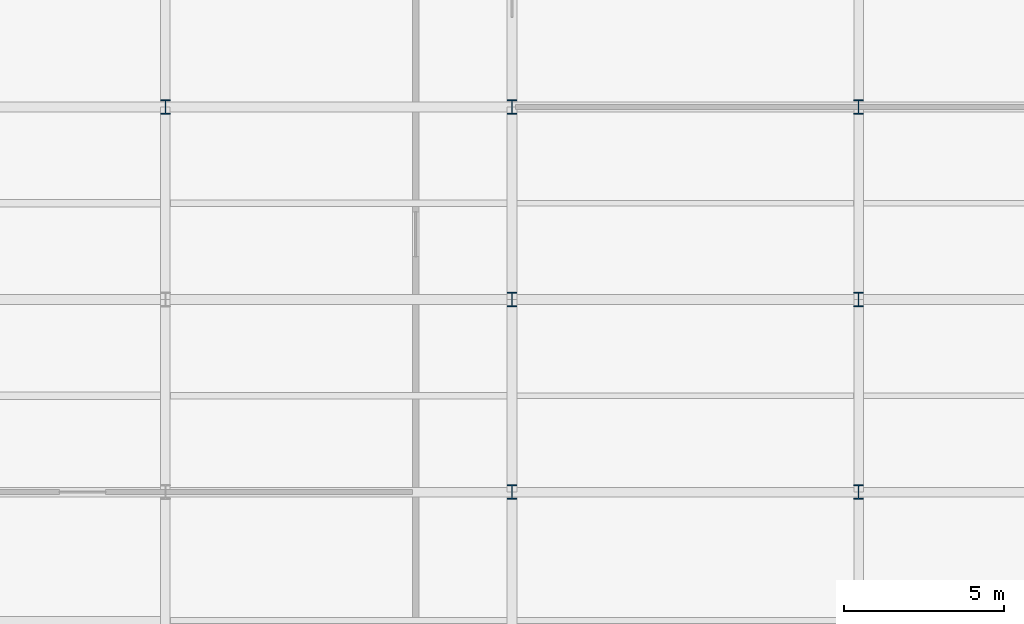
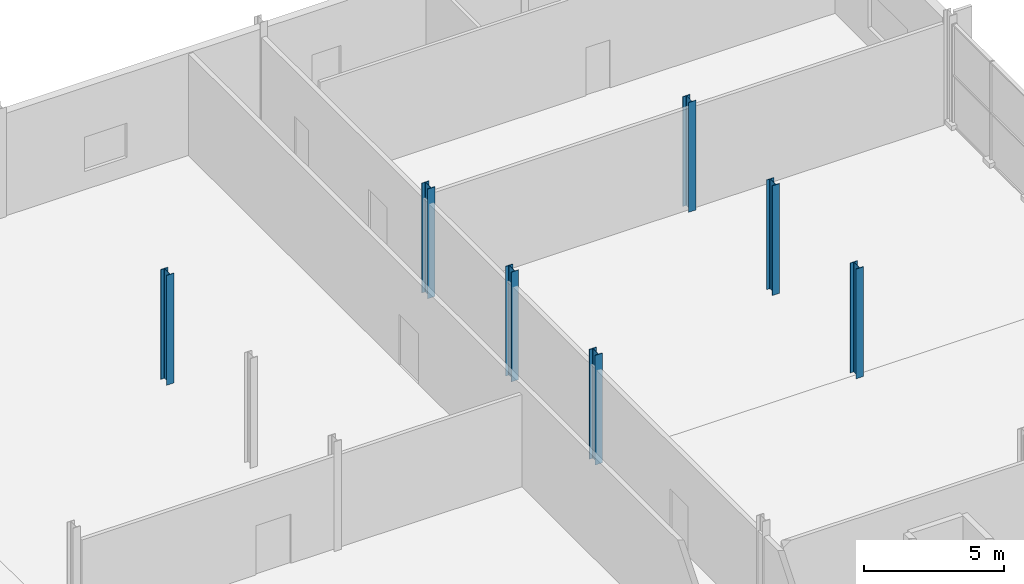
# One storey, part 19 of 159: 7 columns.
"""IFC4 building model written with IfcOpenShell, lengths in metres."""

from ifc_helpers import new_model, si_unit, direction, frame, origin, origin_2d, place, context, subcontext, project, spatial, i_section, extrude, material, material_profile, profile_set, type_object, element, save


model = new_model("IFC4")

# Units and contexts
model_context = context("Model", 3, precision=1e-05, world=origin(), true_north=direction((0.0, 1.0)))
body_context = subcontext(model_context, "Body", "Model", "MODEL_VIEW")
ifc_project = project(units=[si_unit("LENGTHUNIT", "METRE"), si_unit("AREAUNIT", "SQUARE_METRE"), si_unit("VOLUMEUNIT", "CUBIC_METRE"), si_unit("PLANEANGLEUNIT", "RADIAN"), si_unit("MASSUNIT", "GRAM", prefix="KILO")], contexts=[model_context])

# Site, building, storey
site_placement = place(None, origin())
site = spatial("IfcSite", under=ifc_project, at=site_placement, CompositionType="ELEMENT")
building_placement = place(site_placement, origin())
building = spatial("IfcBuilding", under=site, at=building_placement, Name="Merenkruunu Market Hall", CompositionType="ELEMENT")
storey_placement = place(building_placement, frame((0.0, 0.0, 5.39990234375)))
storey = spatial("IfcBuildingStorey", under=building, at=storey_placement, Name="L01", CompositionType="ELEMENT", Elevation=5.39990234375)

# Columns
ifc_material = material(Name="Steel S355J2", Category="steel")
ifc_material_profile_1 = material_profile(ifc_material, i_section(OverallWidth=0.300048828125, OverallDepth=0.449951171875, WebThickness=0.013916015625, FlangeThickness=0.02587890625, FilletRadius=0.027099609375, at=origin_2d()), Name="HEB 450")
ifc_profile_set_1 = profile_set([ifc_material_profile_1], Name="Steel S355J2")
column_type_1 = type_object("IfcColumnType", Name="Structural Column C03", PredefinedType="COLUMN", material=ifc_profile_set_1)
for number, where, z_axis, x_axis, name in (
    (1, (170.39990234375, 39.60009765625, 0.0), (0.0, 0.0, 1.0), (1.0, 0.0, 0.0), "COL-L01-S-05"),
    (2, (181.199951171875, 39.60009765625, 0.0), (0.0, 0.0, 1.0), (1.0, 0.0, 0.0), "COL-L01-T-05"),
):
    element("IfcColumn", number, at=place(storey_placement, frame(where, z_axis=z_axis, x_axis=x_axis)), inside=storey, type_object=column_type_1, Name=name, PredefinedType="COLUMN", context=body_context, shape_type="SweptSolid", body=[
        extrude(i_section(OverallWidth=0.300048828125, OverallDepth=0.449951171875, WebThickness=0.013916015625, FlangeThickness=0.02587890625, FilletRadius=0.027099609375, at=origin_2d()), origin(), (0.0, 0.0, 1.0), 4.800048828125),
    ])
ifc_material_profile_2 = material_profile(ifc_material, i_section(OverallWidth=0.300048828125, OverallDepth=0.43994140625, WebThickness=0.011474609375, FlangeThickness=0.02099609375, FilletRadius=0.027099609375, at=origin_2d()), Name="HEA 450")
ifc_profile_set_2 = profile_set([ifc_material_profile_2], Name="Steel S355J2")
column_type_2 = type_object("IfcColumnType", Name="Structural Column C07", PredefinedType="COLUMN", material=ifc_profile_set_2)
for number, where, z_axis, x_axis, name in (
    (3, (159.60009765625, 51.60009765625, 0.0), (0.0, 0.0, 1.0), (1.0, 0.0, 0.0), "COL-L01-R-07"),
    (4, (170.39990234375, 45.60009765625, 0.0), (0.0, 0.0, 1.0), (1.0, 0.0, 0.0), "COL-L01-S-06"),
    (5, (170.39990234375, 51.60009765625, 0.0), (0.0, 0.0, 1.0), (1.0, 0.0, 0.0), "COL-L01-S-07"),
    (6, (181.199951171875, 45.60009765625, 0.0), (0.0, 0.0, 1.0), (1.0, 0.0, 0.0), "COL-L01-T-06"),
    (7, (181.199951171875, 51.60009765625, 0.0), (0.0, 0.0, 1.0), (1.0, 0.0, 0.0), "COL-L01-T-07"),
):
    element("IfcColumn", number, at=place(storey_placement, frame(where, z_axis=z_axis, x_axis=x_axis)), inside=storey, type_object=column_type_2, Name=name, PredefinedType="COLUMN", context=body_context, shape_type="SweptSolid", body=[
        extrude(i_section(OverallWidth=0.300048828125, OverallDepth=0.43994140625, WebThickness=0.011474609375, FlangeThickness=0.02099609375, FilletRadius=0.027099609375, at=origin_2d()), origin(), (0.0, 0.0, 1.0), 4.800048828125),
    ])

save(model, "model.ifc")
